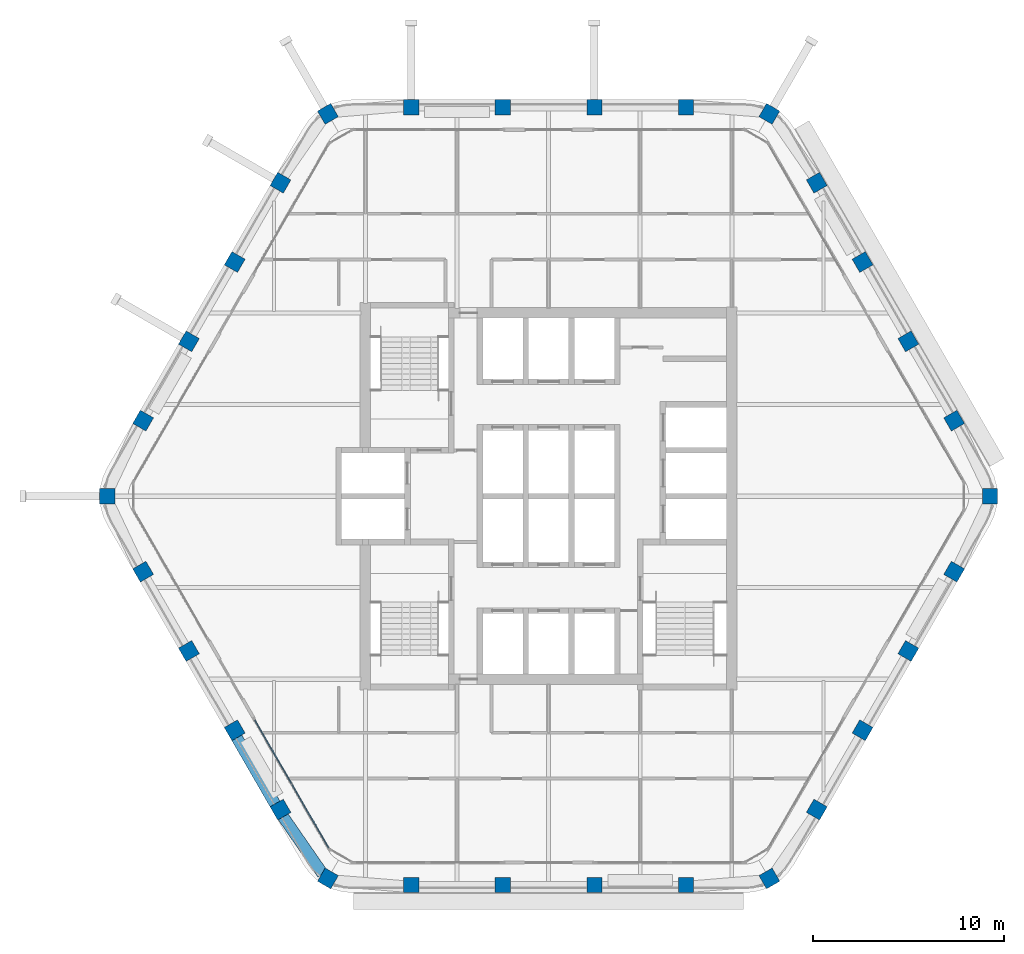
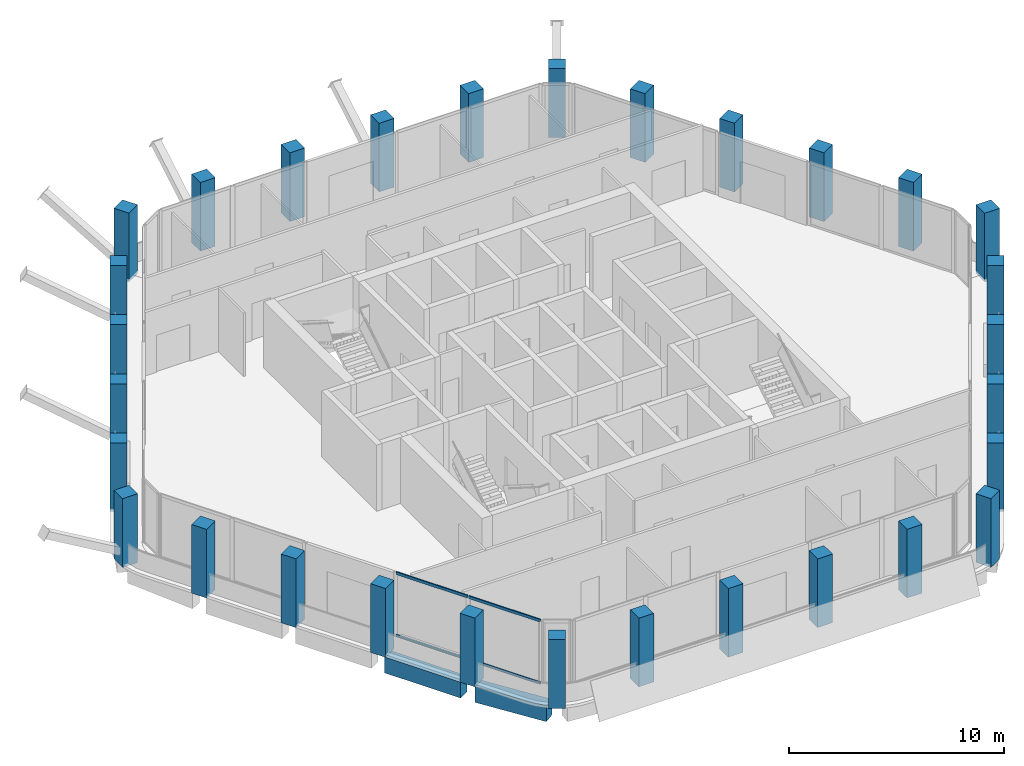
# One storey, part 1 of 14: 30 columns, 4 members, 2 beams, 1 element without a shape of its own.
"""IFC4 building model written with IfcOpenShell, lengths in metres."""

from ifc_helpers import new_model, si_unit, direction, frame, origin, origin_2d, place, context, subcontext, project, spatial, rectangle, extrude, material, material_profile, profile_set, type_object, element, aggregate, save


model = new_model("IFC4")

# Units and contexts
model_context = context("Model", 3, precision=1e-05, world=origin(), true_north=direction((0.0, 1.0)))
body_context = subcontext(model_context, "Body", "Model", "MODEL_VIEW")
ifc_project = project(units=[si_unit("LENGTHUNIT", "METRE"), si_unit("AREAUNIT", "SQUARE_METRE"), si_unit("VOLUMEUNIT", "CUBIC_METRE"), si_unit("PLANEANGLEUNIT", "RADIAN"), si_unit("MASSUNIT", "GRAM", prefix="KILO")], contexts=[model_context])

# Site, building, storey
site_placement = place(None, origin())
site = spatial("IfcSite", under=ifc_project, at=site_placement, CompositionType="ELEMENT")
building_placement = place(site_placement, origin())
building = spatial("IfcBuilding", under=site, at=building_placement, Name="Kolab Exchange Tower", CompositionType="ELEMENT")
storey_placement = place(building_placement, frame((0.0, 0.0, 250.10009765625)))
storey = spatial("IfcBuildingStorey", under=building, at=storey_placement, Name="L55", CompositionType="ELEMENT", Elevation=250.10009765625)

# Columns
ifc_material_1 = material(Name="Concrete C50/60", Category="concrete")
ifc_material_profile_1 = material_profile(ifc_material_1, rectangle(XDim=0.800048828125, YDim=0.800048828125, at=origin_2d()), Name="RC800")
ifc_profile_set_1 = profile_set([ifc_material_profile_1], Name="Concrete C50/60")
column_type = type_object("IfcColumnType", Name="PERIMETER COLUMN 800 SQ C50/60", PredefinedType="COLUMN", material=ifc_profile_set_1)
for number, where, z_axis, x_axis, name in (
    (1, (-11.56787109375, 20.036376953125, -0.150146484375), (0.0, 0.0, 1.0), (0.866025403784, 0.5, 0.0), "col/L55/F1-01"),
    (2, (-7.199951171875, 20.384521484375, -0.150146484375), (0.0, 0.0, 1.0), (1.0, 0.0, 0.0), "col/L55/F1-02"),
    (3, (-2.39990234375, 20.384521484375, -0.150146484375), (0.0, 0.0, 1.0), (1.0, 0.0, 0.0), "col/L55/F1-03"),
    (4, (2.39990234375, 20.384521484375, -0.150146484375), (0.0, 0.0, 1.0), (1.0, 0.0, 0.0), "col/L55/F1-04"),
    (5, (7.199951171875, 20.384521484375, -0.150146484375), (0.0, 0.0, 1.0), (1.0, 0.0, 0.0), "col/L55/F1-05"),
    (6, (11.56787109375, 20.036376953125, -0.150146484375), (0.0, 0.0, 1.0), (0.5, 0.866025403784, 0.0), "col/L55/F2-01"),
    (7, (14.0537109375, 16.427734375, -0.150146484375), (0.0, 0.0, 1.0), (0.866025403784, 0.5, 0.0), "col/L55/F2-02"),
    (8, (16.45361328125, 12.270751953125, -0.150146484375), (0.0, 0.0, 1.0), (0.866025403784, 0.5, 0.0), "col/L55/F2-03"),
    (9, (18.853515625, 8.11376953125, -0.150146484375), (0.0, 0.0, 1.0), (0.866025403784, 0.5, 0.0), "col/L55/F2-04"),
    (10, (21.253662109375, 3.95703125, -0.150146484375), (0.0, 0.0, 1.0), (0.866025403784, 0.5, 0.0), "col/L55/F2-05"),
    (11, (23.135986328125, 0.0, -0.150146484375), (0.0, 0.0, 1.0), (1.0, 0.0, 0.0), "col/L55/F3-01"),
    (12, (21.253662109375, -3.95703125, -0.150146484375), (0.0, 0.0, 1.0), (0.5, 0.866025403784, 0.0), "col/L55/F3-02"),
    (13, (18.853515625, -8.11376953125, -0.150146484375), (0.0, 0.0, 1.0), (0.5, 0.866025403784, 0.0), "col/L55/F3-03"),
    (14, (16.45361328125, -12.270751953125, -0.150146484375), (0.0, 0.0, 1.0), (0.5, 0.866025403784, 0.0), "col/L55/F3-04"),
    (15, (14.0537109375, -16.427734375, -0.150146484375), (0.0, 0.0, 1.0), (0.5, 0.866025403784, 0.0), "col/L55/F3-05"),
    (16, (11.56787109375, -20.036376953125, -0.150146484375), (0.0, 0.0, 1.0), (0.866025403784, 0.5, 0.0), "col/L55/F4-01"),
    (17, (7.199951171875, -20.384521484375, -0.150146484375), (0.0, 0.0, 1.0), (1.0, 0.0, 0.0), "col/L55/F4-02"),
    (18, (2.39990234375, -20.384521484375, -0.150146484375), (0.0, 0.0, 1.0), (1.0, 0.0, 0.0), "col/L55/F4-03"),
    (19, (-2.39990234375, -20.384521484375, -0.150146484375), (0.0, 0.0, 1.0), (1.0, 0.0, 0.0), "col/L55/F4-04"),
    (20, (-7.199951171875, -20.384521484375, -0.150146484375), (0.0, 0.0, 1.0), (1.0, 0.0, 0.0), "col/L55/F4-05"),
    (21, (-11.56787109375, -20.036376953125, -0.150146484375), (0.0, 0.0, 1.0), (0.5, 0.866025403784, 0.0), "col/L55/F5-01"),
    (22, (-14.0537109375, -16.427734375, -0.150146484375), (0.0, 0.0, 1.0), (0.866025403784, 0.5, 0.0), "col/L55/F5-02"),
    (23, (-16.45361328125, -12.270751953125, -0.150146484375), (0.0, 0.0, 1.0), (0.866025403784, 0.5, 0.0), "col/L55/F5-03"),
    (24, (-18.853515625, -8.11376953125, -0.150146484375), (0.0, 0.0, 1.0), (0.866025403784, 0.5, 0.0), "col/L55/F5-04"),
    (25, (-21.253662109375, -3.95703125, -0.150146484375), (0.0, 0.0, 1.0), (0.866025403784, 0.5, 0.0), "col/L55/F5-05"),
    (26, (-23.135986328125, 0.0, -0.150146484375), (0.0, 0.0, 1.0), (1.0, 0.0, 0.0), "col/L55/F6-01"),
    (27, (-21.253662109375, 3.95703125, -0.150146484375), (0.0, 0.0, 1.0), (0.5, 0.866025403784, 0.0), "col/L55/F6-02"),
    (28, (-18.853515625, 8.11376953125, -0.150146484375), (0.0, 0.0, 1.0), (0.5, 0.866025403784, 0.0), "col/L55/F6-03"),
    (29, (-16.45361328125, 12.270751953125, -0.150146484375), (0.0, 0.0, 1.0), (0.5, 0.866025403784, 0.0), "col/L55/F6-04"),
    (30, (-14.0537109375, 16.427734375, -0.150146484375), (0.0, 0.0, 1.0), (0.5, 0.866025403784, 0.0), "col/L55/F6-05"),
):
    element("IfcColumn", number, at=place(storey_placement, frame(where, z_axis=z_axis, x_axis=x_axis)), inside=storey, type_object=column_type, Name=name, PredefinedType="COLUMN", context=body_context, shape_type="SweptSolid", body=[
        extrude(rectangle(XDim=0.800048828125, YDim=0.800048828125, at=origin_2d()), origin(), (0.0, 0.0, 1.0), 3.900146484375),
    ])

# Beams
ifc_material_profile_2 = material_profile(ifc_material_1, rectangle(XDim=0.60009765625, YDim=0.89990234375, at=origin_2d()), Name="RC600X900")
ifc_profile_set_2 = profile_set([ifc_material_profile_2], Name="Concrete C50/60")
beam_type = type_object("IfcBeamType", Name="SPANDREL BEAM 600X900 C50/60", PredefinedType="BEAM", material=ifc_profile_set_2)
beam_1_placement = place(storey_placement, frame((-11.846923828125, -19.7919921875, -0.60009765625), z_axis=(-0.569005808573, 0.822333502789, 0.0), x_axis=(-0.822333502789, -0.569005808573, 0.0)))
element("IfcBeam", 31, at=beam_1_placement, inside=storey, type_object=beam_type, Name="beam/L55/sp/F5-01", PredefinedType="BEAM", context=body_context, shape_type="SweptSolid", body=[
    extrude(rectangle(XDim=0.60009765625, YDim=0.89990234375, at=origin_2d()), origin(), (0.0, 0.0, 1.0), 3.6689453125),
])
beam_2_placement = place(storey_placement, frame((-14.3203125, -16.166015625, -0.60009765625), z_axis=(-0.499955548806, 0.866051066172, 0.0), x_axis=(-0.866051066172, -0.499955548806, 0.0)))
element("IfcBeam", 32, at=beam_2_placement, inside=storey, type_object=beam_type, Name="beam/L55/sp/F5-02", PredefinedType="BEAM", context=body_context, shape_type="SweptSolid", body=[
    extrude(rectangle(XDim=0.60009765625, YDim=0.89990234375, at=origin_2d()), origin(), (0.0, 0.0, 1.0), 4.079833984375),
])

# Curtain wall, members
ifc_material_2 = material(Name="Aluminium EN AW-6063 T6", Category="aluminium")
curtain_wall_type = type_object("IfcCurtainWallType", Name="UNITISED HIGH ZONE CURTAIN WALL", PredefinedType="NOTDEFINED", material=ifc_material_2)
curtain_wall_placement = place(storey_placement, origin())
curtain_wall = element("IfcCurtainWall", 33, at=curtain_wall_placement, inside=storey, type_object=curtain_wall_type, Name="cw/L55/F5-1", PredefinedType="NOTDEFINED")
ifc_material_profile_3 = material_profile(ifc_material_2, rectangle(XDim=0.06005859375, YDim=0.159912109375, at=origin_2d()), Name="RECT 60X160")
ifc_profile_set_3 = profile_set([ifc_material_profile_3], Name="Aluminium EN AW-6063 T6")
member_type = type_object("IfcMemberType", Name="UNITISED HIGH ZONE TRANSOM 60 X 160", PredefinedType="USERDEFINED", material=ifc_profile_set_3)
member_1_placement = place(storey_placement, frame((-11.527587890625, -18.442626953125, 0.02978515625), z_axis=(-0.500039492609, 0.866002601515, 0.0), x_axis=(-0.866002601515, -0.500039492609, 0.0)))
member_1 = element("IfcMember", 34, at=member_1_placement, type_object=member_type, Name="CW4 transom 1.1", ObjectType="TRANSOM", PredefinedType="USERDEFINED", context=body_context, shape_type="SweptSolid", body=[
    extrude(rectangle(XDim=0.06005859375, YDim=0.159912109375, at=origin_2d()), origin(), (0.0, 0.0, 1.0), 3.843994140625),
])
member_2_placement = place(storey_placement, frame((-11.527587890625, -18.442626953125, 3.56982421875), z_axis=(-0.500039492609, 0.866002601515, 0.0), x_axis=(-0.866002601515, -0.500039492609, 0.0)))
member_2 = element("IfcMember", 35, at=member_2_placement, type_object=member_type, Name="CW4 transom 1.2", ObjectType="TRANSOM", PredefinedType="USERDEFINED", context=body_context, shape_type="SweptSolid", body=[
    extrude(rectangle(XDim=0.06005859375, YDim=0.159912109375, at=origin_2d()), origin(), (0.0, 0.0, 1.0), 3.843994140625),
])
member_3_placement = place(storey_placement, frame((-13.479736328125, -15.061767578125, 0.02978515625), z_axis=(-0.499964356602, 0.866045981532, 0.0), x_axis=(-0.866045981532, -0.499964356602, 0.0)))
member_3 = element("IfcMember", 36, at=member_3_placement, type_object=member_type, Name="CW4 transom 2.1", ObjectType="TRANSOM", PredefinedType="USERDEFINED", context=body_context, shape_type="SweptSolid", body=[
    extrude(rectangle(XDim=0.06005859375, YDim=0.159912109375, at=origin_2d()), origin(), (0.0, 0.0, 1.0), 3.843994140625),
])
member_4_placement = place(storey_placement, frame((-13.479736328125, -15.061767578125, 3.56982421875), z_axis=(-0.499964356602, 0.866045981532, 0.0), x_axis=(-0.866045981532, -0.499964356602, 0.0)))
member_4 = element("IfcMember", 37, at=member_4_placement, type_object=member_type, Name="CW4 transom 2.2", ObjectType="TRANSOM", PredefinedType="USERDEFINED", context=body_context, shape_type="SweptSolid", body=[
    extrude(rectangle(XDim=0.06005859375, YDim=0.159912109375, at=origin_2d()), origin(), (0.0, 0.0, 1.0), 3.843994140625),
])
aggregate(curtain_wall, [member_1, member_2, member_3, member_4])

save(model, "model.ifc")
